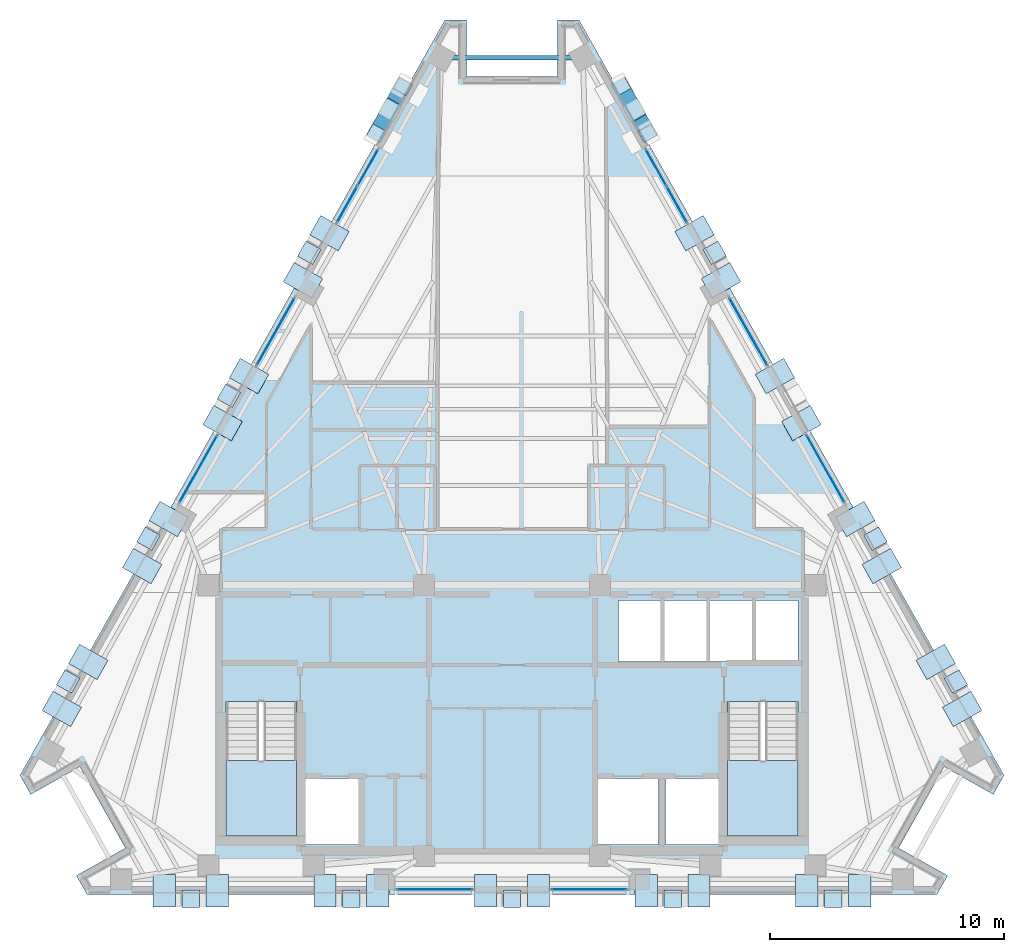
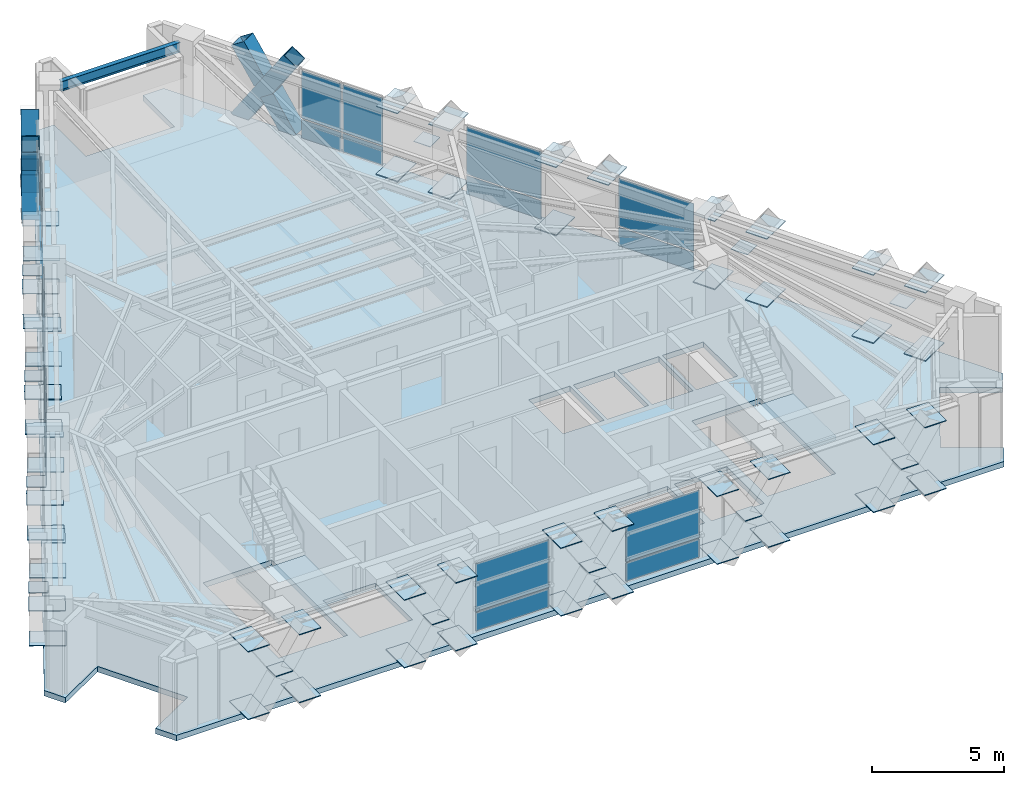
# One storey, part 6 of 13: 83 plates, 6 members, 3 slabs, 1 beam, 10 elements without a shape of their own.
"""IFC4 building model written with IfcOpenShell, lengths in metres."""

from ifc_helpers import new_model, si_unit, direction, frame, origin, origin_2d, place, context, subcontext, project, spatial, polyline, rectangle, hollow_rectangle, i_section, outline, extrude, material, layer, layer_set, material_profile, profile_set, type_object, element, aggregate, save


model = new_model("IFC4")

# Units and contexts
model_context = context("Model", 3, precision=1e-05, world=origin(), true_north=direction((0.0, 1.0)))
body_context = subcontext(model_context, "Body", "Model", "MODEL_VIEW")
ifc_project = project(units=[si_unit("LENGTHUNIT", "METRE"), si_unit("AREAUNIT", "SQUARE_METRE"), si_unit("VOLUMEUNIT", "CUBIC_METRE"), si_unit("PLANEANGLEUNIT", "RADIAN"), si_unit("MASSUNIT", "GRAM", prefix="KILO")], contexts=[model_context])

# Site, building, storey
site_placement = place(None, origin())
site = spatial("IfcSite", under=ifc_project, at=site_placement, CompositionType="ELEMENT")
building_placement = place(site_placement, origin())
building = spatial("IfcBuilding", under=site, at=building_placement, Name="Quenlor Broadcast Tower", CompositionType="ELEMENT")
storey_placement = place(building_placement, frame((0.0, 0.0, 214.89990234375)))
storey = spatial("IfcBuildingStorey", under=building, at=storey_placement, Name="L59", CompositionType="ELEMENT", Elevation=214.89990234375)

# Members
ifc_material_1 = material(Name="Steel S355", Category="steel")
ifc_material_profile_1 = material_profile(ifc_material_1, hollow_rectangle(XDim=0.679931640625, YDim=0.679931640625, WallThickness=0.02490234375, at=origin_2d()))
ifc_profile_set_1 = profile_set([ifc_material_profile_1], Name="Steel S355 RHS680x680x25")
member_type = type_object("IfcMemberType", Name="Perimeter Diagonal Lattice Brace Z3-Z4 Steel S355 RHS680x25", PredefinedType="BRACE", material=ifc_profile_set_1)
member_1_placement = place(storey_placement, frame((4.650390625, 16.4794921875, -0.119873046875), z_axis=(0.269493020061, -0.479144022478, 0.835340959047), x_axis=(0.871595351467, 0.490226012469, 0.0)))
element("IfcMember", 1, at=member_1_placement, inside=storey, type_object=member_type, Name="L59 Perimeter Diamond Lattice NE-C1XA", PredefinedType="BRACE", context=body_context, shape_type="SweptSolid", body=[
    extrude(hollow_rectangle(XDim=0.679931640625, YDim=0.679931640625, WallThickness=0.02490234375, at=origin_2d()), origin(), (0.0, 0.0, 1.0), 4.18994140625),
])
for number, where, z_axis, x_axis, name in (
    (2, (5.779541015625, 14.471923828125, -0.119873046875), (-0.269535527865, 0.479130165145, 0.835335192642), (-0.871556252289, -0.490295522207, 0.0), "L59 Perimeter Diamond Lattice NE-C1XB1"),
    (3, (5.147705078125, 15.595458984375, 1.8388671875), (-0.269535527865, 0.479130165145, 0.835335192642), (-0.871556252289, -0.490295522207, 0.0), "L59 Perimeter Diamond Lattice NE-C1XB2"),
):
    element("IfcMember", number, at=place(storey_placement, frame(where, z_axis=z_axis, x_axis=x_axis)), inside=storey, type_object=member_type, Name=name, PredefinedType="BRACE", context=body_context, shape_type="SweptSolid", body=[
        extrude(hollow_rectangle(XDim=0.679931640625, YDim=0.679931640625, WallThickness=0.02490234375, at=origin_2d()), origin(), (0.0, 0.0, 1.0), 1.844970703125),
    ])
member_2_placement = place(storey_placement, frame((-5.779541015625, 14.471923828125, -0.119873046875), z_axis=(0.269493020061, 0.479144022478, 0.835340959047), x_axis=(-0.871595351467, 0.490226012469, 0.0)))
element("IfcMember", 4, at=member_2_placement, inside=storey, type_object=member_type, Name="L59 Perimeter Diamond Lattice NW-C5XA", PredefinedType="BRACE", context=body_context, shape_type="SweptSolid", body=[
    extrude(hollow_rectangle(XDim=0.679931640625, YDim=0.679931640625, WallThickness=0.02490234375, at=origin_2d()), origin(), (0.0, 0.0, 1.0), 4.18994140625),
])
for number, where, z_axis, x_axis, name in (
    (5, (-4.650390625, 16.4794921875, -0.119873046875), (-0.269535527865, -0.479130165145, 0.835335192642), (0.871556252289, -0.490295522207, 0.0), "L59 Perimeter Diamond Lattice NW-C5XB1"),
    (6, (-5.2822265625, 15.35595703125, 1.8388671875), (-0.269535527865, -0.479130165145, 0.835335192642), (0.871556252289, -0.490295522207, 0.0), "L59 Perimeter Diamond Lattice NW-C5XB2"),
):
    element("IfcMember", number, at=place(storey_placement, frame(where, z_axis=z_axis, x_axis=x_axis)), inside=storey, type_object=member_type, Name=name, PredefinedType="BRACE", context=body_context, shape_type="SweptSolid", body=[
        extrude(hollow_rectangle(XDim=0.679931640625, YDim=0.679931640625, WallThickness=0.02490234375, at=origin_2d()), origin(), (0.0, 0.0, 1.0), 1.844970703125),
    ])

# Beam
ifc_material_2 = material(Name="Steel S355", Category="steel")
ifc_material_profile_2 = material_profile(ifc_material_2, i_section(OverallWidth=0.18994140625, OverallDepth=0.453857421875, WebThickness=0.008544921875, FlangeThickness=0.0126953125, FilletRadius=0.011474609375, at=origin_2d()))
ifc_profile_set_2 = profile_set([ifc_material_profile_2], Name="Steel S355 460UB67.1")
beam_type = type_object("IfcBeamType", Name="Perimeter Spandrel Beam Z4 Steel S355 460UB67.1", PredefinedType="SPANDREL", material=ifc_profile_set_2)
beam_placement = place(storey_placement, frame((2.610595703125, 17.704345703125, 3.023193359375), z_axis=(-1.0, 0.0, 0.0), x_axis=(0.0, -1.0, 0.0)))
element("IfcBeam", 7, at=beam_placement, inside=storey, type_object=beam_type, Name="L59 Spandrel Beam NE4-NW1", PredefinedType="SPANDREL", context=body_context, shape_type="SweptSolid", body=[
    extrude(i_section(OverallWidth=0.18994140625, OverallDepth=0.453857421875, WebThickness=0.008544921875, FlangeThickness=0.0126953125, FilletRadius=0.011474609375, at=origin_2d()), origin(), (0.0, 0.0, 1.0), 5.22119140625),
])

# Curtain wall, plates
ifc_material_3 = material(Name="Architectural Terracotta and Low-E Glazing", Category="masonry")
curtain_wall_type = type_object("IfcCurtainWallType", Name="Unitised Terracotta Curtain Wall System Z4", PredefinedType="NOTDEFINED", material=ifc_material_3)
curtain_wall_1_placement = place(storey_placement, origin())
curtain_wall_1 = element("IfcCurtainWall", 8, at=curtain_wall_1_placement, inside=storey, type_object=curtain_wall_type, Name="L59 Curtain Wall CW4 (L59-S-G1)", PredefinedType="NOTDEFINED")
ifc_material_4 = material(Name="Double Glazed Low-E Solar Glass", Category="glass")
ifc_layer_1 = layer(ifc_material_4, 0.028076171875)
ifc_layer_set_1 = layer_set([ifc_layer_1], Name="CW4 Double Glazed Vision Panel 28")
plate_type_1 = type_object("IfcPlateType", Name="CW4 Double Glazed Vision Panel 28", PredefinedType="CURTAIN_PANEL", material=ifc_layer_set_1)
plate_1_placement = place(storey_placement, frame((3.29443359375, -17.77490234375, 0.068359375), z_axis=(0.0, 0.0, 1.0), x_axis=(-1.0, 0.0, 0.0)))
plate_1 = element("IfcPlate", 9, at=plate_1_placement, type_object=plate_type_1, Name="CW4 panel 1.1", PredefinedType="CURTAIN_PANEL", context=body_context, shape_type="SweptSolid", body=[
    extrude(rectangle(XDim=3.210693359375, YDim=0.028076171875, at=origin_2d()), origin(), (0.0, 0.0, 1.0), 0.847900390625),
])
plate_2_placement = place(storey_placement, frame((3.29443359375, -17.77490234375, 0.98388671875), z_axis=(0.0, 0.0, 1.0), x_axis=(-1.0, 0.0, 0.0)))
plate_2 = element("IfcPlate", 10, at=plate_2_placement, type_object=plate_type_1, Name="CW4 panel 1.2", PredefinedType="CURTAIN_PANEL", context=body_context, shape_type="SweptSolid", body=[
    extrude(rectangle(XDim=3.210693359375, YDim=0.028076171875, at=origin_2d()), origin(), (0.0, 0.0, 1.0), 2.197998046875),
])
aggregate(curtain_wall_1, [plate_1, plate_2])

curtain_wall_2_placement = place(storey_placement, origin())
curtain_wall_2 = element("IfcCurtainWall", 11, at=curtain_wall_2_placement, inside=storey, type_object=curtain_wall_type, Name="L59 Curtain Wall CW4 (L59-S-G2)", PredefinedType="NOTDEFINED")
plate_3_placement = place(storey_placement, frame((-3.29443359375, -17.77490234375, 0.068359375), z_axis=(0.0, 0.0, 1.0), x_axis=(-1.0, 0.0, 0.0)))
plate_3 = element("IfcPlate", 12, at=plate_3_placement, type_object=plate_type_1, Name="CW4 panel 1.1", PredefinedType="CURTAIN_PANEL", context=body_context, shape_type="SweptSolid", body=[
    extrude(rectangle(XDim=3.210693359375, YDim=0.028076171875, at=origin_2d()), origin(), (0.0, 0.0, 1.0), 0.847900390625),
])
plate_4_placement = place(storey_placement, frame((-3.29443359375, -17.77490234375, 0.98388671875), z_axis=(0.0, 0.0, 1.0), x_axis=(-1.0, 0.0, 0.0)))
plate_4 = element("IfcPlate", 13, at=plate_4_placement, type_object=plate_type_1, Name="CW4 panel 1.2", PredefinedType="CURTAIN_PANEL", context=body_context, shape_type="SweptSolid", body=[
    extrude(rectangle(XDim=3.210693359375, YDim=0.028076171875, at=origin_2d()), origin(), (0.0, 0.0, 1.0), 2.197998046875),
])
aggregate(curtain_wall_2, [plate_3, plate_4])

curtain_wall_3_placement = place(storey_placement, origin())
curtain_wall_3 = element("IfcCurtainWall", 14, at=curtain_wall_3_placement, inside=storey, type_object=curtain_wall_type, Name="L59 Curtain Wall CW4 (L59-NEA-G1)", PredefinedType="NOTDEFINED")
plate_5_placement = place(storey_placement, frame((6.13916015625, 13.02685546875, 0.068359375), z_axis=(0.0, 0.0, 1.0), x_axis=(0.490259959025, -0.871576257465, 0.0)))
plate_5 = element("IfcPlate", 15, at=plate_5_placement, type_object=plate_type_1, Name="CW4 panel 1.1", PredefinedType="CURTAIN_PANEL", context=body_context, shape_type="SweptSolid", body=[
    extrude(rectangle(XDim=1.751708984375, YDim=0.028076171875, at=origin_2d()), origin(), (0.0, 0.0, 1.0), 0.847900390625),
])
plate_6_placement = place(storey_placement, frame((6.13916015625, 13.02685546875, 0.98388671875), z_axis=(0.0, 0.0, 1.0), x_axis=(0.490259959025, -0.871576257465, 0.0)))
plate_6 = element("IfcPlate", 16, at=plate_6_placement, type_object=plate_type_1, Name="CW4 panel 1.2", PredefinedType="CURTAIN_PANEL", context=body_context, shape_type="SweptSolid", body=[
    extrude(rectangle(XDim=1.751708984375, YDim=0.028076171875, at=origin_2d()), origin(), (0.0, 0.0, 1.0), 2.197998046875),
])
plate_7_placement = place(storey_placement, frame((7.03125, 11.44091796875, 0.068359375), z_axis=(0.0, 0.0, 1.0), x_axis=(0.490259959025, -0.871576257465, 0.0)))
plate_7 = element("IfcPlate", 17, at=plate_7_placement, type_object=plate_type_1, Name="CW4 panel 2.1", PredefinedType="CURTAIN_PANEL", context=body_context, shape_type="SweptSolid", body=[
    extrude(rectangle(XDim=1.751708984375, YDim=0.028076171875, at=origin_2d()), origin(), (0.0, 0.0, 1.0), 0.847900390625),
])
plate_8_placement = place(storey_placement, frame((7.03125, 11.44091796875, 0.98388671875), z_axis=(0.0, 0.0, 1.0), x_axis=(0.490259959025, -0.871576257465, 0.0)))
plate_8 = element("IfcPlate", 18, at=plate_8_placement, type_object=plate_type_1, Name="CW4 panel 2.2", PredefinedType="CURTAIN_PANEL", context=body_context, shape_type="SweptSolid", body=[
    extrude(rectangle(XDim=1.751708984375, YDim=0.028076171875, at=origin_2d()), origin(), (0.0, 0.0, 1.0), 2.197998046875),
])
aggregate(curtain_wall_3, [plate_5, plate_6, plate_7, plate_8])

curtain_wall_4_placement = place(storey_placement, origin())
curtain_wall_4 = element("IfcCurtainWall", 19, at=curtain_wall_4_placement, inside=storey, type_object=curtain_wall_type, Name="L59 Curtain Wall CW4 (L59-NE-G1)", PredefinedType="NOTDEFINED")
plate_9_placement = place(storey_placement, frame((10.081787109375, 6.01806640625, 0.068359375), z_axis=(0.0, 0.0, 1.0), x_axis=(0.490257089819, -0.871577871382, 0.0)))
plate_9 = element("IfcPlate", 20, at=plate_9_placement, type_object=plate_type_1, Name="CW4 panel 1.1", PredefinedType="CURTAIN_PANEL", context=body_context, shape_type="SweptSolid", body=[
    extrude(rectangle(XDim=3.29638671875, YDim=0.028076171875, at=origin_2d()), origin(), (0.0, 0.0, 1.0), 0.847900390625),
])
plate_10_placement = place(storey_placement, frame((10.081787109375, 6.01806640625, 0.98388671875), z_axis=(0.0, 0.0, 1.0), x_axis=(0.490257089819, -0.871577871382, 0.0)))
plate_10 = element("IfcPlate", 21, at=plate_10_placement, type_object=plate_type_1, Name="CW4 panel 1.2", PredefinedType="CURTAIN_PANEL", context=body_context, shape_type="SweptSolid", body=[
    extrude(rectangle(XDim=3.29638671875, YDim=0.028076171875, at=origin_2d()), origin(), (0.0, 0.0, 1.0), 2.197998046875),
])
aggregate(curtain_wall_4, [plate_9, plate_10])

curtain_wall_5_placement = place(storey_placement, origin())
curtain_wall_5 = element("IfcCurtainWall", 22, at=curtain_wall_5_placement, inside=storey, type_object=curtain_wall_type, Name="L59 Curtain Wall CW4 (L59-NE-G2)", PredefinedType="NOTDEFINED")
plate_11_placement = place(storey_placement, frame((13.3759765625, 0.161376953125, 0.068359375), z_axis=(0.0, 0.0, 1.0), x_axis=(0.490257089819, -0.871577871382, 0.0)))
plate_11 = element("IfcPlate", 23, at=plate_11_placement, type_object=plate_type_1, Name="CW4 panel 1.1", PredefinedType="CURTAIN_PANEL", context=body_context, shape_type="SweptSolid", body=[
    extrude(rectangle(XDim=3.29638671875, YDim=0.028076171875, at=origin_2d()), origin(), (0.0, 0.0, 1.0), 0.847900390625),
])
plate_12_placement = place(storey_placement, frame((13.3759765625, 0.161376953125, 0.98388671875), z_axis=(0.0, 0.0, 1.0), x_axis=(0.490257089819, -0.871577871382, 0.0)))
plate_12 = element("IfcPlate", 24, at=plate_12_placement, type_object=plate_type_1, Name="CW4 panel 1.2", PredefinedType="CURTAIN_PANEL", context=body_context, shape_type="SweptSolid", body=[
    extrude(rectangle(XDim=3.29638671875, YDim=0.028076171875, at=origin_2d()), origin(), (0.0, 0.0, 1.0), 2.197998046875),
])
aggregate(curtain_wall_5, [plate_11, plate_12])

curtain_wall_6_placement = place(storey_placement, origin())
curtain_wall_6 = element("IfcCurtainWall", 25, at=curtain_wall_6_placement, inside=storey, type_object=curtain_wall_type, Name="L59 Curtain Wall CW4 (L59-NWC-G1)", PredefinedType="NOTDEFINED")
plate_13_placement = place(storey_placement, frame((-7.03125, 11.44091796875, 0.068359375), z_axis=(0.0, 0.0, 1.0), x_axis=(0.490259959025, 0.871576257465, 0.0)))
plate_13 = element("IfcPlate", 26, at=plate_13_placement, type_object=plate_type_1, Name="CW4 panel 1.1", PredefinedType="CURTAIN_PANEL", context=body_context, shape_type="SweptSolid", body=[
    extrude(rectangle(XDim=1.751708984375, YDim=0.028076171875, at=origin_2d()), origin(), (0.0, 0.0, 1.0), 0.847900390625),
])
plate_14_placement = place(storey_placement, frame((-7.03125, 11.44091796875, 0.98388671875), z_axis=(0.0, 0.0, 1.0), x_axis=(0.490259959025, 0.871576257465, 0.0)))
plate_14 = element("IfcPlate", 27, at=plate_14_placement, type_object=plate_type_1, Name="CW4 panel 1.2", PredefinedType="CURTAIN_PANEL", context=body_context, shape_type="SweptSolid", body=[
    extrude(rectangle(XDim=1.751708984375, YDim=0.028076171875, at=origin_2d()), origin(), (0.0, 0.0, 1.0), 2.197998046875),
])
plate_15_placement = place(storey_placement, frame((-6.13916015625, 13.02685546875, 0.068359375), z_axis=(0.0, 0.0, 1.0), x_axis=(0.490259959025, 0.871576257465, 0.0)))
plate_15 = element("IfcPlate", 28, at=plate_15_placement, type_object=plate_type_1, Name="CW4 panel 2.1", PredefinedType="CURTAIN_PANEL", context=body_context, shape_type="SweptSolid", body=[
    extrude(rectangle(XDim=1.751708984375, YDim=0.028076171875, at=origin_2d()), origin(), (0.0, 0.0, 1.0), 0.847900390625),
])
plate_16_placement = place(storey_placement, frame((-6.13916015625, 13.02685546875, 0.98388671875), z_axis=(0.0, 0.0, 1.0), x_axis=(0.490259959025, 0.871576257465, 0.0)))
plate_16 = element("IfcPlate", 29, at=plate_16_placement, type_object=plate_type_1, Name="CW4 panel 2.2", PredefinedType="CURTAIN_PANEL", context=body_context, shape_type="SweptSolid", body=[
    extrude(rectangle(XDim=1.751708984375, YDim=0.028076171875, at=origin_2d()), origin(), (0.0, 0.0, 1.0), 2.197998046875),
])
aggregate(curtain_wall_6, [plate_13, plate_14, plate_15, plate_16])

curtain_wall_7_placement = place(storey_placement, origin())
curtain_wall_7 = element("IfcCurtainWall", 30, at=curtain_wall_7_placement, inside=storey, type_object=curtain_wall_type, Name="L59 Curtain Wall CW4 (L59-NW-G1)", PredefinedType="NOTDEFINED")
plate_17_placement = place(storey_placement, frame((-13.3759765625, 0.161376953125, 0.068359375), z_axis=(0.0, 0.0, 1.0), x_axis=(0.490257089819, 0.871577871382, 0.0)))
plate_17 = element("IfcPlate", 31, at=plate_17_placement, type_object=plate_type_1, Name="CW4 panel 1.1", PredefinedType="CURTAIN_PANEL", context=body_context, shape_type="SweptSolid", body=[
    extrude(rectangle(XDim=3.29638671875, YDim=0.028076171875, at=origin_2d()), origin(), (0.0, 0.0, 1.0), 0.847900390625),
])
plate_18_placement = place(storey_placement, frame((-13.3759765625, 0.161376953125, 0.98388671875), z_axis=(0.0, 0.0, 1.0), x_axis=(0.490257089819, 0.871577871382, 0.0)))
plate_18 = element("IfcPlate", 32, at=plate_18_placement, type_object=plate_type_1, Name="CW4 panel 1.2", PredefinedType="CURTAIN_PANEL", context=body_context, shape_type="SweptSolid", body=[
    extrude(rectangle(XDim=3.29638671875, YDim=0.028076171875, at=origin_2d()), origin(), (0.0, 0.0, 1.0), 2.197998046875),
])
aggregate(curtain_wall_7, [plate_17, plate_18])

curtain_wall_8_placement = place(storey_placement, origin())
curtain_wall_8 = element("IfcCurtainWall", 33, at=curtain_wall_8_placement, inside=storey, type_object=curtain_wall_type, Name="L59 Curtain Wall CW4 (L59-NW-G2)", PredefinedType="NOTDEFINED")
plate_19_placement = place(storey_placement, frame((-10.081787109375, 6.01806640625, 0.068359375), z_axis=(0.0, 0.0, 1.0), x_axis=(0.490257089819, 0.871577871382, 0.0)))
plate_19 = element("IfcPlate", 34, at=plate_19_placement, type_object=plate_type_1, Name="CW4 panel 1.1", PredefinedType="CURTAIN_PANEL", context=body_context, shape_type="SweptSolid", body=[
    extrude(rectangle(XDim=3.29638671875, YDim=0.028076171875, at=origin_2d()), origin(), (0.0, 0.0, 1.0), 0.847900390625),
])
plate_20_placement = place(storey_placement, frame((-10.081787109375, 6.01806640625, 0.98388671875), z_axis=(0.0, 0.0, 1.0), x_axis=(0.490257089819, 0.871577871382, 0.0)))
plate_20 = element("IfcPlate", 35, at=plate_20_placement, type_object=plate_type_1, Name="CW4 panel 1.2", PredefinedType="CURTAIN_PANEL", context=body_context, shape_type="SweptSolid", body=[
    extrude(rectangle(XDim=3.29638671875, YDim=0.028076171875, at=origin_2d()), origin(), (0.0, 0.0, 1.0), 2.197998046875),
])
aggregate(curtain_wall_8, [plate_19, plate_20])

# Plates
ifc_material_5 = material(Name="Steel S355", Category="steel")
ifc_layer_2 = layer(ifc_material_5, 0.028076171875)
ifc_layer_set_2 = layer_set([ifc_layer_2], Name="Perimeter Lattice Node Steel S355 Cap Plate 740x740x28")
plate_type_2 = type_object("IfcPlateType", Name="Perimeter Lattice Node Steel S355 Cap Plate 740x740x28", PredefinedType="USERDEFINED", material=ifc_layer_set_2)
for number, where, z_axis, x_axis, name in (
    (36, (13.70068359375, -18.169921875, 1.6162109375), (0.0, 0.0, 1.0), (-1.0, 0.0, 0.0), "L59 Diamond Lattice Crossing Node S-C1"),
    (37, (6.850341796875, -18.169921875, 1.6162109375), (0.0, 0.0, 1.0), (-1.0, 0.0, 0.0), "L59 Diamond Lattice Crossing Node S-C2"),
    (38, (0.0, -18.169921875, 1.6162109375), (0.0, 0.0, 1.0), (-1.0, 0.0, 0.0), "L59 Diamond Lattice Crossing Node S-C3"),
    (39, (-6.850341796875, -18.169921875, 1.6162109375), (0.0, 0.0, 1.0), (-1.0, 0.0, 0.0), "L59 Diamond Lattice Crossing Node S-C4"),
    (40, (-13.70068359375, -18.169921875, 1.6162109375), (0.0, 0.0, 1.0), (-1.0, 0.0, 0.0), "L59 Diamond Lattice Crossing Node S-C5"),
    (41, (8.64404296875, 9.379638671875, 1.6162109375), (0.0, 0.0, 1.0), (0.490295412055, -0.871556314255, 0.0), "L59 Diamond Lattice Crossing Node NE-C2"),
    (42, (15.502197265625, -2.81298828125, 1.6162109375), (0.0, 0.0, 1.0), (0.490295412055, -0.871556314255, 0.0), "L59 Diamond Lattice Crossing Node NE-C4"),
    (43, (18.931396484375, -8.908935546875, 1.6162109375), (0.0, 0.0, 1.0), (0.490295412055, -0.871556314255, 0.0), "L59 Diamond Lattice Crossing Node NE-C5"),
    (44, (-18.931396484375, -8.908935546875, 1.6162109375), (0.0, 0.0, 1.0), (0.490295412055, 0.871556314255, 0.0), "L59 Diamond Lattice Crossing Node NW-C1"),
    (45, (-15.502197265625, -2.81298828125, 1.6162109375), (0.0, 0.0, 1.0), (0.490295412055, 0.871556314255, 0.0), "L59 Diamond Lattice Crossing Node NW-C2"),
    (46, (-12.0732421875, 3.283447265625, 1.6162109375), (0.0, 0.0, 1.0), (0.490295412055, 0.871556314255, 0.0), "L59 Diamond Lattice Crossing Node NW-C3"),
    (47, (-8.64404296875, 9.379638671875, 1.6162109375), (0.0, 0.0, 1.0), (0.490295412055, 0.871556314255, 0.0), "L59 Diamond Lattice Crossing Node NW-C4"),
):
    element("IfcPlate", number, at=place(storey_placement, frame(where, z_axis=z_axis, x_axis=x_axis)), inside=storey, type_object=plate_type_2, Name=name, ObjectType="CAP PLATE", PredefinedType="USERDEFINED", context=body_context, shape_type="SweptSolid", body=[
        extrude(rectangle(XDim=0.739990234375, YDim=0.739990234375, at=origin_2d()), origin(), (0.0, 0.0, 1.0), 0.028076171875),
    ])

# Stair, slab
ifc_material_6 = material(Name="Precast concrete C40/50", Category="concrete")
stair_type = type_object("IfcStairType", Name="Precast Concrete C40/50 Dogleg Stair H350", PredefinedType="HALF_TURN_STAIR", material=ifc_material_6)
stair_1_placement = place(storey_placement, origin())
stair_1 = element("IfcStair", 48, at=stair_1_placement, inside=storey, type_object=stair_type, Name="L59 West Core Fire-Isolated Exit Stair ST-1", PredefinedType="HALF_TURN_STAIR")
ifc_material_7 = material(Name="Precast concrete C40/50", Category="concrete")
ifc_layer_3 = layer(ifc_material_7, 0.199951171875)
ifc_layer_set_3 = layer_set([ifc_layer_3], Name="Precast Concrete C40/50 Stair Landing Slab 200")
slab_type_1 = type_object("IfcSlabType", Name="Precast Concrete C40/50 Stair Landing Slab 200", PredefinedType="LANDING", material=ifc_layer_set_3)
slab_1_placement = place(storey_placement, frame((0.0, 0.0, 1.550048828125)))
slab_1 = element("IfcSlab", 49, at=slab_1_placement, type_object=slab_type_1, Name="ST-1 landing 1", PredefinedType="LANDING", context=body_context, shape_type="SweptSolid", body=[
    extrude(outline(polyline([(-12.199951171875, -12.27001953125), (-12.199951171875, -15.5), (-9.199951171875, -15.5), (-9.199951171875, -12.27001953125), (-12.199951171875, -12.27001953125)])), origin(), (0.0, 0.0, 1.0), 0.199951171875),
])
aggregate(stair_1, [slab_1])

stair_2_placement = place(storey_placement, origin())
stair_2 = element("IfcStair", 50, at=stair_2_placement, inside=storey, type_object=stair_type, Name="L59 East Core Fire-Isolated Exit Stair ST-2", PredefinedType="HALF_TURN_STAIR")
slab_2_placement = place(storey_placement, frame((0.0, 0.0, 1.550048828125)))
slab_2 = element("IfcSlab", 51, at=slab_2_placement, type_object=slab_type_1, Name="ST-2 landing 1", PredefinedType="LANDING", context=body_context, shape_type="SweptSolid", body=[
    extrude(outline(polyline([(9.199951171875, -12.27001953125), (9.199951171875, -15.5), (12.199951171875, -15.5), (12.199951171875, -12.27001953125), (9.199951171875, -12.27001953125)])), origin(), (0.0, 0.0, 1.0), 0.199951171875),
])
aggregate(stair_2, [slab_2])

# Slab
ifc_material_8 = material(Name="Concrete C40/50", Category="concrete")
ifc_layer_4 = layer(ifc_material_8, 0.25)
ifc_layer_set_4 = layer_set([ifc_layer_4], Name="Tower Composite Concrete C40/50 Slab 250")
slab_type_2 = type_object("IfcSlabType", Name="Tower Composite Concrete C40/50 Slab 250", PredefinedType="FLOOR", material=ifc_layer_set_4)
slab_3_placement = place(storey_placement, frame((0.0, 0.0, -0.25)))
element("IfcSlab", 52, at=slab_3_placement, inside=storey, type_object=slab_type_2, Name="L59 Structural Floor Slab", PredefinedType="FLOOR", context=body_context, shape_type="SweptSolid", body=[
    extrude(outline(polyline([(18.1259765625, -18.0), (18.583984375, -17.185791015625), (16.4921875, -16.00927734375), (18.438232421875, -12.549560546875), (20.530029296875, -13.72607421875), (20.988037109375, -12.912109375), (2.862060546875, 19.31201171875), (1.9462890625, 19.31201171875), (1.9462890625, 16.912109375), (-1.9462890625, 16.912109375), (-1.9462890625, 19.31201171875), (-2.862060546875, 19.31201171875), (-20.988037109375, -12.912109375), (-20.530029296875, -13.72607421875), (-18.438232421875, -12.549560546875), (-16.4921875, -16.00927734375), (-18.583984375, -17.185791015625), (-18.1259765625, -18.0), (18.1259765625, -18.0)]), holes=[polyline([(-12.199951171875, -9.758056640625), (-12.199951171875, -15.5), (-9.199951171875, -15.5), (-9.199951171875, -9.758056640625), (-12.199951171875, -9.758056640625)]), polyline([(9.199951171875, -9.758056640625), (9.199951171875, -15.5), (12.199951171875, -15.5), (12.199951171875, -9.758056640625), (9.199951171875, -9.758056640625)]), polyline([(4.550048828125, -8.050048828125), (6.35009765625, -8.050048828125), (6.35009765625, -5.449951171875), (4.550048828125, -5.449951171875), (4.550048828125, -8.050048828125)]), polyline([(6.5, -8.050048828125), (8.300048828125, -8.050048828125), (8.300048828125, -5.449951171875), (6.5, -5.449951171875), (6.5, -8.050048828125)]), polyline([(8.449951171875, -8.050048828125), (10.25, -8.050048828125), (10.25, -5.449951171875), (8.449951171875, -5.449951171875), (8.449951171875, -8.050048828125)]), polyline([(10.39990234375, -8.050048828125), (12.199951171875, -8.050048828125), (12.199951171875, -5.449951171875), (10.39990234375, -5.449951171875), (10.39990234375, -8.050048828125)]), polyline([(-8.85009765625, -15.85009765625), (-6.550048828125, -15.85009765625), (-6.550048828125, -13.050048828125), (-8.85009765625, -13.050048828125), (-8.85009765625, -15.85009765625)]), polyline([(6.550048828125, -15.85009765625), (8.85009765625, -15.85009765625), (8.85009765625, -13.050048828125), (6.550048828125, -13.050048828125), (6.550048828125, -15.85009765625)]), polyline([(3.64990234375, -15.85009765625), (6.25, -15.85009765625), (6.25, -13.050048828125), (3.64990234375, -13.050048828125), (3.64990234375, -15.85009765625)])]), origin(), (0.0, 0.0, 1.0), 0.25),
])

# Plates
ifc_material_9 = material(Name="Steel S355", Category="steel")
ifc_layer_5 = layer(ifc_material_9, 0.035888671875)
ifc_layer_set_5 = layer_set([ifc_layer_5], Name="Transfer Truss Steel S355 Gusset Node Plate 1400x950x36")
plate_type_3 = type_object("IfcPlateType", Name="Transfer Truss Steel S355 Gusset Node Plate 1400x950x36", PredefinedType="SHEET", material=ifc_layer_set_5)
for number, where, z_axis, x_axis, name in (
    (53, (14.828857421875, -17.8349609375, 0.0419921875), (0.0, 0.0, 1.0), (0.0, -1.0, 0.0), "L59 Lattice Tie Gusset Node S-B1"),
    (54, (12.57275390625, -17.8349609375, 3.18212890625), (0.0, 0.0, 1.0), (0.0, -1.0, 0.0), "L59 Lattice Tie Gusset Node S-T2"),
    (55, (12.57275390625, -17.8349609375, 0.0419921875), (0.0, 0.0, 1.0), (0.0, -1.0, 0.0), "L59 Lattice Tie Gusset Node S-B2"),
    (56, (14.828857421875, -17.8349609375, 3.18212890625), (0.0, 0.0, 1.0), (0.0, -1.0, 0.0), "L59 Lattice Tie Gusset Node S-T1"),
    (57, (7.978515625, -17.8349609375, 0.0419921875), (0.0, 0.0, 1.0), (0.0, -1.0, 0.0), "L59 Lattice Tie Gusset Node S-B4"),
    (58, (5.722412109375, -17.8349609375, 3.18212890625), (0.0, 0.0, 1.0), (0.0, -1.0, 0.0), "L59 Lattice Tie Gusset Node S-T5"),
    (59, (5.722412109375, -17.8349609375, 0.0419921875), (0.0, 0.0, 1.0), (0.0, -1.0, 0.0), "L59 Lattice Tie Gusset Node S-B5"),
    (60, (7.978515625, -17.8349609375, 3.18212890625), (0.0, 0.0, 1.0), (0.0, -1.0, 0.0), "L59 Lattice Tie Gusset Node S-T4"),
    (61, (1.1279296875, -17.8349609375, 0.0419921875), (0.0, 0.0, 1.0), (0.0, -1.0, 0.0), "L59 Lattice Tie Gusset Node S-B7"),
    (62, (-1.1279296875, -17.8349609375, 3.18212890625), (0.0, 0.0, 1.0), (0.0, -1.0, 0.0), "L59 Lattice Tie Gusset Node S-T8"),
    (63, (-1.1279296875, -17.8349609375, 0.0419921875), (0.0, 0.0, 1.0), (0.0, -1.0, 0.0), "L59 Lattice Tie Gusset Node S-B8"),
    (64, (1.1279296875, -17.8349609375, 3.18212890625), (0.0, 0.0, 1.0), (0.0, -1.0, 0.0), "L59 Lattice Tie Gusset Node S-T7"),
    (65, (-5.722412109375, -17.8349609375, 0.0419921875), (0.0, 0.0, 1.0), (0.0, -1.0, 0.0), "L59 Lattice Tie Gusset Node S-B10"),
    (66, (-7.978515625, -17.8349609375, 3.18212890625), (0.0, 0.0, 1.0), (0.0, -1.0, 0.0), "L59 Lattice Tie Gusset Node S-T11"),
    (67, (-7.978515625, -17.8349609375, 0.0419921875), (0.0, 0.0, 1.0), (0.0, -1.0, 0.0), "L59 Lattice Tie Gusset Node S-B11"),
    (68, (-5.722412109375, -17.8349609375, 3.18212890625), (0.0, 0.0, 1.0), (0.0, -1.0, 0.0), "L59 Lattice Tie Gusset Node S-T10"),
    (69, (-12.57275390625, -17.8349609375, 0.0419921875), (0.0, 0.0, 1.0), (0.0, -1.0, 0.0), "L59 Lattice Tie Gusset Node S-B13"),
    (70, (-14.828857421875, -17.8349609375, 3.18212890625), (0.0, 0.0, 1.0), (0.0, -1.0, 0.0), "L59 Lattice Tie Gusset Node S-T14"),
    (71, (-14.828857421875, -17.8349609375, 0.0419921875), (0.0, 0.0, 1.0), (0.0, -1.0, 0.0), "L59 Lattice Tie Gusset Node S-B14"),
    (72, (-12.57275390625, -17.8349609375, 3.18212890625), (0.0, 0.0, 1.0), (0.0, -1.0, 0.0), "L59 Lattice Tie Gusset Node S-T13"),
    (73, (7.787353515625, 10.218994140625, 0.0419921875), (0.0, 0.0, 1.0), (0.871556314255, 0.490295412055, 0.0), "L59 Lattice Tie Gusset Node NE-B4"),
    (74, (8.916748046875, 8.21142578125, 3.18212890625), (0.0, 0.0, 1.0), (0.871556314255, 0.490295412055, 0.0), "L59 Lattice Tie Gusset Node NE-T5"),
    (75, (8.916748046875, 8.21142578125, 0.0419921875), (0.0, 0.0, 1.0), (0.871556314255, 0.490295412055, 0.0), "L59 Lattice Tie Gusset Node NE-B5"),
    (76, (7.787353515625, 10.218994140625, 3.18212890625), (0.0, 0.0, 1.0), (0.871556314255, 0.490295412055, 0.0), "L59 Lattice Tie Gusset Node NE-T4"),
    (77, (11.216552734375, 4.123046875, 0.0419921875), (0.0, 0.0, 1.0), (0.871556314255, 0.490295412055, 0.0), "L59 Lattice Tie Gusset Node NE-B7"),
    (78, (12.345947265625, 2.115234375, 3.18212890625), (0.0, 0.0, 1.0), (0.871556314255, 0.490295412055, 0.0), "L59 Lattice Tie Gusset Node NE-T8"),
    (79, (11.216552734375, 4.123046875, 3.18212890625), (0.0, 0.0, 1.0), (0.871556314255, 0.490295412055, 0.0), "L59 Lattice Tie Gusset Node NE-T7"),
    (80, (14.6455078125, -1.97314453125, 0.0419921875), (0.0, 0.0, 1.0), (0.871556314255, 0.490295412055, 0.0), "L59 Lattice Tie Gusset Node NE-B10"),
    (81, (15.77490234375, -3.98095703125, 3.18212890625), (0.0, 0.0, 1.0), (0.871556314255, 0.490295412055, 0.0), "L59 Lattice Tie Gusset Node NE-T11"),
    (82, (15.77490234375, -3.98095703125, 0.0419921875), (0.0, 0.0, 1.0), (0.871556314255, 0.490295412055, 0.0), "L59 Lattice Tie Gusset Node NE-B11"),
    (83, (14.6455078125, -1.97314453125, 3.18212890625), (0.0, 0.0, 1.0), (0.871556314255, 0.490295412055, 0.0), "L59 Lattice Tie Gusset Node NE-T10"),
    (84, (18.07470703125, -8.0693359375, 0.0419921875), (0.0, 0.0, 1.0), (0.871556314255, 0.490295412055, 0.0), "L59 Lattice Tie Gusset Node NE-B13"),
    (85, (19.2041015625, -10.0771484375, 3.18212890625), (0.0, 0.0, 1.0), (0.871556314255, 0.490295412055, 0.0), "L59 Lattice Tie Gusset Node NE-T14"),
    (86, (19.2041015625, -10.0771484375, 0.0419921875), (0.0, 0.0, 1.0), (0.871556314255, 0.490295412055, 0.0), "L59 Lattice Tie Gusset Node NE-B14"),
    (87, (18.07470703125, -8.0693359375, 3.18212890625), (0.0, 0.0, 1.0), (0.871556314255, 0.490295412055, 0.0), "L59 Lattice Tie Gusset Node NE-T13"),
    (88, (-19.2041015625, -10.0771484375, 0.0419921875), (0.0, 0.0, 1.0), (-0.871556314255, 0.490295412055, 0.0), "L59 Lattice Tie Gusset Node NW-B1"),
    (89, (-18.07470703125, -8.0693359375, 3.18212890625), (0.0, 0.0, 1.0), (-0.871556314255, 0.490295412055, 0.0), "L59 Lattice Tie Gusset Node NW-T2"),
    (90, (-18.07470703125, -8.0693359375, 0.0419921875), (0.0, 0.0, 1.0), (-0.871556314255, 0.490295412055, 0.0), "L59 Lattice Tie Gusset Node NW-B2"),
    (91, (-19.2041015625, -10.0771484375, 3.18212890625), (0.0, 0.0, 1.0), (-0.871556314255, 0.490295412055, 0.0), "L59 Lattice Tie Gusset Node NW-T1"),
    (92, (-15.77490234375, -3.98095703125, 0.0419921875), (0.0, 0.0, 1.0), (-0.871556314255, 0.490295412055, 0.0), "L59 Lattice Tie Gusset Node NW-B4"),
    (93, (-14.6455078125, -1.97314453125, 3.18212890625), (0.0, 0.0, 1.0), (-0.871556314255, 0.490295412055, 0.0), "L59 Lattice Tie Gusset Node NW-T5"),
    (94, (-14.6455078125, -1.97314453125, 0.0419921875), (0.0, 0.0, 1.0), (-0.871556314255, 0.490295412055, 0.0), "L59 Lattice Tie Gusset Node NW-B5"),
    (95, (-15.77490234375, -3.98095703125, 3.18212890625), (0.0, 0.0, 1.0), (-0.871556314255, 0.490295412055, 0.0), "L59 Lattice Tie Gusset Node NW-T4"),
    (96, (-12.345947265625, 2.115234375, 0.0419921875), (0.0, 0.0, 1.0), (-0.871556314255, 0.490295412055, 0.0), "L59 Lattice Tie Gusset Node NW-B7"),
    (97, (-11.216552734375, 4.123046875, 3.18212890625), (0.0, 0.0, 1.0), (-0.871556314255, 0.490295412055, 0.0), "L59 Lattice Tie Gusset Node NW-T8"),
    (98, (-11.216552734375, 4.123046875, 0.0419921875), (0.0, 0.0, 1.0), (-0.871556314255, 0.490295412055, 0.0), "L59 Lattice Tie Gusset Node NW-B8"),
    (99, (-12.345947265625, 2.115234375, 3.18212890625), (0.0, 0.0, 1.0), (-0.871556314255, 0.490295412055, 0.0), "L59 Lattice Tie Gusset Node NW-T7"),
    (100, (-8.916748046875, 8.21142578125, 0.0419921875), (0.0, 0.0, 1.0), (-0.871556314255, 0.490295412055, 0.0), "L59 Lattice Tie Gusset Node NW-B10"),
    (101, (-7.787353515625, 10.218994140625, 3.18212890625), (0.0, 0.0, 1.0), (-0.871556314255, 0.490295412055, 0.0), "L59 Lattice Tie Gusset Node NW-T11"),
    (102, (-7.787353515625, 10.218994140625, 0.0419921875), (0.0, 0.0, 1.0), (-0.871556314255, 0.490295412055, 0.0), "L59 Lattice Tie Gusset Node NW-B11"),
    (103, (-8.916748046875, 8.21142578125, 3.18212890625), (0.0, 0.0, 1.0), (-0.871556314255, 0.490295412055, 0.0), "L59 Lattice Tie Gusset Node NW-T10"),
):
    element("IfcPlate", number, at=place(storey_placement, frame(where, z_axis=z_axis, x_axis=x_axis)), inside=storey, type_object=plate_type_3, Name=name, PredefinedType="SHEET", context=body_context, shape_type="SweptSolid", body=[
        extrude(rectangle(XDim=1.39990234375, YDim=0.949951171875, at=origin_2d()), origin(), (0.0, 0.0, 1.0), 0.035888671875),
    ])

save(model, "model.ifc")
